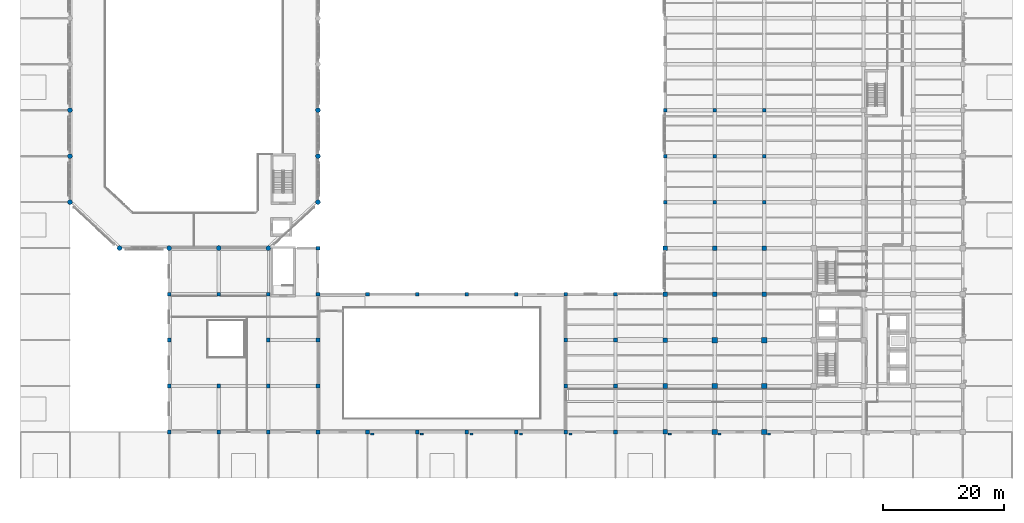
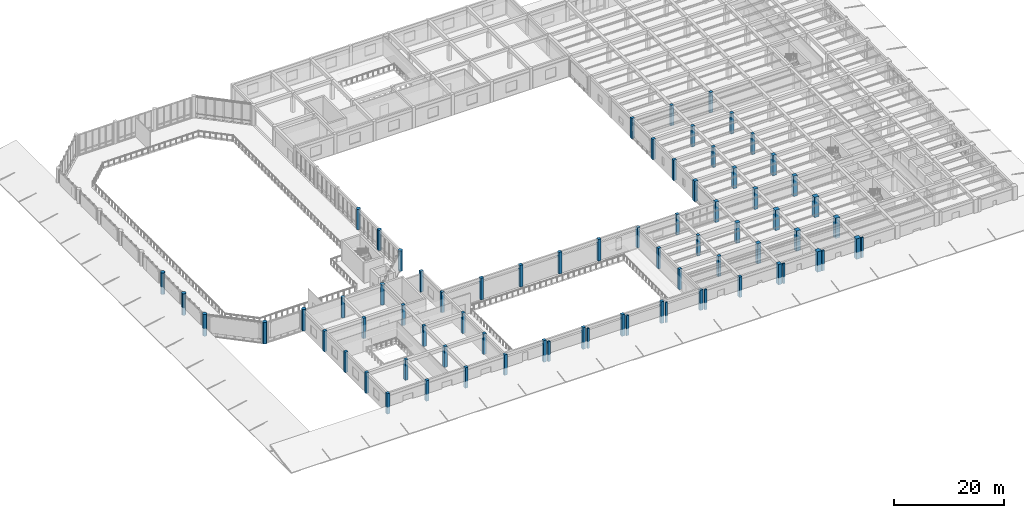
# One storey, part 1 of 57: 74 columns.
"""IFC4 building model written with IfcOpenShell, lengths in metres."""

import ifcopenshell
import ifcopenshell.guid

model = None  # the IFC model being written
_history = None  # IfcOwnerHistory: only IFC2X3 demands one
_inside = {}  # id of a spatial element -> (the spatial element, [elements in it])
_under = {}  # id of a project, library or spatial element -> (it, [spatial elements below it])
_declared = {}  # id of a project -> (the project, [libraries it declares])
_typed = {}  # id of a type object -> (the type object, [elements of that type])
_made_of = {}  # id of a material, layer set ... -> (it, [elements and type objects made of it])


def new_model(schema):
    """Start an empty IFC model of exactly this schema.

    Asked for "IFC4X3", IfcOpenShell would pick the latest addendum, in which some entities
    have other attributes; the version numbers below select the first issue.
    IFC2X3 requires an IfcOwnerHistory on every rooted entity: one is made here for all.
    """
    global model, _history
    if schema == "IFC4X3":
        model = ifcopenshell.file(schema_version=(4, 3, 0, 0))
    else:
        model = ifcopenshell.file(schema=schema)
    _inside.clear()
    _under.clear()
    _declared.clear()
    _typed.clear()
    _made_of.clear()
    _history = None
    if model.schema == "IFC2X3":
        org = make("IfcOrganization", Name="unknown")
        user = make(
            "IfcPersonAndOrganization",
            ThePerson=make("IfcPerson", FamilyName="unknown"),
            TheOrganization=org,
        )
        app = make(
            "IfcApplication",
            ApplicationDeveloper=org,
            Version="unknown",
            ApplicationFullName="unknown",
            ApplicationIdentifier="unknown",
        )
        _history = make(
            "IfcOwnerHistory",
            OwningUser=user,
            OwningApplication=app,
            ChangeAction="ADDED",
            CreationDate=0,
        )
    return model


def make(cls, **values):
    """One entity of the class cls with the attributes given. An attribute that is None is left unset."""
    return model.create_entity(
        cls, **{name: value for name, value in values.items() if value is not None}
    )


def rooted(cls, **values):
    """An entity with a GlobalId (a new one), such as an element, a storey or a relation."""
    return make(cls, GlobalId=ifcopenshell.guid.new(), OwnerHistory=_history, **values)


def si_unit(unit_type, name, prefix=None):
    """IfcSIUnit, for example si_unit("LENGTHUNIT", "METRE", prefix="MILLI")."""
    return make("IfcSIUnit", UnitType=unit_type, Prefix=prefix, Name=name)


def assignment(units):
    """IfcUnitAssignment: the units of a project."""
    return None if units is None else make("IfcUnitAssignment", Units=units)


def point(xyz):
    """IfcCartesianPoint."""
    return None if xyz is None else make("IfcCartesianPoint", Coordinates=xyz)


def direction(xyz):
    """IfcDirection."""
    return None if xyz is None else make("IfcDirection", DirectionRatios=xyz)


def frame(location, z_axis=None, x_axis=None):
    """IfcAxis2Placement3D, a coordinate frame: its origin and axes. An axis left out is left unset."""
    return make(
        "IfcAxis2Placement3D",
        Location=point(location),
        Axis=direction(z_axis),
        RefDirection=direction(x_axis),
    )


def frame_2d(location, x_axis=None):
    """IfcAxis2Placement2D, a coordinate frame in the plane: its origin and x axis."""
    return make(
        "IfcAxis2Placement2D", Location=point(location), RefDirection=direction(x_axis)
    )


def origin():
    """The frame at (0, 0, 0) with its axes left unset."""
    return frame((0.0, 0.0, 0.0))


def origin_2d():
    """The frame at (0, 0) in the plane with its x axis left unset."""
    return frame_2d((0.0, 0.0))


def place(relative_to, where):
    """IfcLocalPlacement: puts the frame where relative to a parent placement (None: the world)."""
    return make(
        "IfcLocalPlacement", PlacementRelTo=relative_to, RelativePlacement=where
    )


def context(
    kind, dimensions, precision=None, world=None, true_north=None, identifier=None
):
    """IfcGeometricRepresentationContext, for example the 3D "Model" context."""
    return make(
        "IfcGeometricRepresentationContext",
        ContextIdentifier=identifier,
        ContextType=kind,
        CoordinateSpaceDimension=dimensions,
        Precision=precision,
        WorldCoordinateSystem=world,
        TrueNorth=true_north,
    )


def subcontext(parent, identifier, kind, view, scale=None):
    """IfcGeometricRepresentationSubContext, for example "Body" below "Model"."""
    return make(
        "IfcGeometricRepresentationSubContext",
        ContextIdentifier=identifier,
        ContextType=kind,
        ParentContext=parent,
        TargetScale=scale,
        TargetView=view,
    )


def project(units=None, contexts=None):
    """IfcProject with its units and contexts."""
    return rooted(
        "IfcProject",
        Name="project",
        RepresentationContexts=contexts,
        UnitsInContext=assignment(units),
    )


def spatial(cls, under=None, at=None, **own):
    """A site, building, storey or space (cls), placed at a placement, below another one or the project."""
    s = rooted(cls, ObjectPlacement=at, **own)
    if under is not None:
        _under.setdefault(under.id(), (under, []))[1].append(s)
    return s


def profile(cls, at=None, kind="AREA", **sizes):
    """A parametric profile (cls). Its sizes go by their IFC names, for example OverallWidth=200.0."""
    return make(cls, ProfileType=kind, Position=at, **sizes)


def rectangle(**sizes):
    """IfcRectangleProfileDef."""
    return profile("IfcRectangleProfileDef", **sizes)


def circle(**sizes):
    """IfcCircleProfileDef."""
    return profile("IfcCircleProfileDef", **sizes)


def extrude(swept, where, along, depth):
    """IfcExtrudedAreaSolid: the profile swept, set in the frame where, extruded along a direction by depth."""
    return make(
        "IfcExtrudedAreaSolid",
        SweptArea=swept,
        Position=where,
        ExtrudedDirection=direction(along),
        Depth=depth,
    )


def shape(context_of_items, identifier, shape_type, items):
    """IfcShapeRepresentation: the items that make up one representation, for example the "Body"."""
    return make(
        "IfcShapeRepresentation",
        ContextOfItems=context_of_items,
        RepresentationIdentifier=identifier,
        RepresentationType=shape_type,
        Items=items,
    )


def material(Name=None, Category=None):
    """IfcMaterial."""
    return make("IfcMaterial", Name=Name, Category=Category)


def material_profile(
    of_material, cross_section, Name=None, Category=None, Priority=None
):
    """IfcMaterialProfile: a cross section and its material."""
    return make(
        "IfcMaterialProfile",
        Name=Name,
        Material=of_material,
        Profile=cross_section,
        Priority=Priority,
        Category=Category,
    )


def profile_set(profiles, Name=None, composite=None):
    """IfcMaterialProfileSet."""
    return make(
        "IfcMaterialProfileSet",
        Name=Name,
        MaterialProfiles=profiles,
        CompositeProfile=composite,
    )


def made_of(thing, what):
    """Note that an element or type object is made of a material, layer set ...; save() writes the relation."""
    if what is not None:
        _made_of.setdefault(what.id(), (what, []))[1].append(thing)
    return thing


def type_object(cls, material=None, **own):
    """A type object (cls), such as IfcWallType, which elements share."""
    return made_of(rooted(cls, **own), material)


def element(
    cls,
    number,
    at=None,
    inside=None,
    cuts=None,
    type_object=None,
    material=None,
    context=None,
    identifier="Body",
    shape_type=None,
    held_by="IfcProductDefinitionShape",
    body=None,
    shapes=None,
    **own,
):
    """One element of the class cls, such as IfcWall. Its Tag is "e" and its number.

    at: its placement. inside: the storey or other place that contains it. cuts: it is an
    opening in that element (IfcRelVoidsElement). A single representation is given by context,
    identifier, shape_type and body (its items); several are given by shapes. held_by: the class
    of the entity that holds the representations. save() writes the other relations.
    """
    e = rooted(cls, Tag="e%d" % number, ObjectPlacement=at, **own)
    if body is not None:
        shapes = [shape(context, identifier, shape_type, body)]
    if shapes is not None:
        e.Representation = make(held_by, Representations=shapes)
    if inside is not None:
        _inside.setdefault(inside.id(), (inside, []))[1].append(e)
    if cuts is not None:
        rooted(
            "IfcRelVoidsElement", RelatingBuildingElement=cuts, RelatedOpeningElement=e
        )
    if type_object is not None:
        _typed.setdefault(type_object.id(), (type_object, []))[1].append(e)
    return made_of(e, material)


def aggregate(whole, parts):
    """IfcRelAggregates: a whole, such as a stair, and the parts it consists of."""
    return rooted("IfcRelAggregates", RelatingObject=whole, RelatedObjects=parts)


def save(model, path):
    """Write the relations noted so far, then the file.

    IfcRelAggregates (storeys below a building ...), IfcRelContainedInSpatialStructure (elements
    in a storey), IfcRelDefinesByType, IfcRelAssociatesMaterial and IfcRelDeclares: one each for
    every whole, place, type object, material and project.
    """
    for whole, parts in _under.values():
        aggregate(whole, parts)
    for where, things in _inside.values():
        rooted(
            "IfcRelContainedInSpatialStructure",
            RelatedElements=things,
            RelatingStructure=where,
        )
    for kind, things in _typed.values():
        rooted("IfcRelDefinesByType", RelatedObjects=things, RelatingType=kind)
    for what, things in _made_of.values():
        rooted("IfcRelAssociatesMaterial", RelatedObjects=things, RelatingMaterial=what)
    for by, libraries in _declared.values():
        rooted("IfcRelDeclares", RelatingContext=by, RelatedDefinitions=libraries)
    model.write(path)


model = new_model("IFC4")

# Units and contexts
model_context = context("Model", 3, precision=1e-05, world=origin(), true_north=direction((0.0, 1.0)))
body_context = subcontext(model_context, "Body", "Model", "MODEL_VIEW")
ifc_project = project(units=[si_unit("LENGTHUNIT", "METRE"), si_unit("AREAUNIT", "SQUARE_METRE"), si_unit("VOLUMEUNIT", "CUBIC_METRE"), si_unit("PLANEANGLEUNIT", "RADIAN"), si_unit("MASSUNIT", "GRAM", prefix="KILO")], contexts=[model_context])

# Site, building, storey
site_placement = place(None, origin())
site = spatial("IfcSite", under=ifc_project, at=site_placement, CompositionType="ELEMENT")
building_placement = place(site_placement, origin())
building = spatial("IfcBuilding", under=site, at=building_placement, Name="Qandaris Square Conservatory and Botanical Centre", CompositionType="ELEMENT")
storey_placement = place(building_placement, frame((0.0, 0.0, 5.39990234375)))
storey = spatial("IfcBuildingStorey", under=building, at=storey_placement, Name="L01", CompositionType="ELEMENT", Elevation=5.39990234375)

# Columns
ifc_material_1 = material(Name="Concrete C50/60", Category="concrete")
ifc_material_profile_1 = material_profile(ifc_material_1, circle(Radius=0.39990234375, at=origin_2d()), Name="RC-COL D800")
ifc_profile_set_1 = profile_set([ifc_material_profile_1], Name="Concrete C50/60")
column_type_1 = type_object("IfcColumnType", Name="Conservatory Ring Pier D800", PredefinedType="COLUMN", material=ifc_profile_set_1)
for number, where, z_axis, x_axis, name in (
    (1, (16.199951171875, 54.60009765625, 0.0), (0.0, 0.0, 1.0), (1.0, 0.0, 0.0), "Column G2 (L01)"),
    (2, (16.199951171875, 62.199951171875, 0.0), (0.0, 0.0, 1.0), (1.0, 0.0, 0.0), "Column H2 (L01)"),
    (3, (16.199951171875, 69.800048828125, 0.0), (0.0, 0.0, 1.0), (1.0, 0.0, 0.0), "Column J2 (L01)"),
    (4, (24.39990234375, 47.0, 0.0), (0.0, 0.0, 1.0), (1.0, 0.0, 0.0), "Column F3 (L01)"),
    (5, (32.60009765625, 47.0, 0.0), (0.0, 0.0, 1.0), (1.0, 0.0, 0.0), "Column F4 (L01)"),
):
    element("IfcColumn", number, at=place(storey_placement, frame(where, z_axis=z_axis, x_axis=x_axis)), inside=storey, type_object=column_type_1, Name=name, PredefinedType="COLUMN", context=body_context, shape_type="SweptSolid", body=[
        extrude(circle(Radius=0.39990234375, at=origin_2d()), origin(), (0.0, 0.0, 1.0), 4.800048828125),
    ])
for number, where, z_axis, x_axis, name in (
    (6, (40.800048828125, 47.0, 0.0), (0.0, 0.0, 1.0), (1.0, 0.0, 0.0), "Column F5 (L01)"),
    (7, (49.0, 47.0, 0.0), (0.0, 0.0, 1.0), (1.0, 0.0, 0.0), "Column F6 (L01)"),
    (8, (57.199951171875, 54.60009765625, 0.0), (0.0, 0.0, 1.0), (1.0, 0.0, 0.0), "Column G7 (L01)"),
    (9, (57.199951171875, 62.199951171875, 0.0), (0.0, 0.0, 1.0), (1.0, 0.0, 0.0), "Column H7 (L01)"),
    (10, (57.199951171875, 69.800048828125, 0.0), (0.0, 0.0, 1.0), (1.0, 0.0, 0.0), "Column J7 (L01)"),
):
    element("IfcColumn", number, at=place(storey_placement, frame(where, z_axis=z_axis, x_axis=x_axis)), inside=storey, type_object=column_type_1, Name=name, PredefinedType="COLUMN", context=body_context, shape_type="SweptSolid", body=[
        extrude(circle(Radius=0.39990234375, at=origin_2d()), origin(), (0.0, 0.0, 1.0), 4.52001953125),
    ])
ifc_material_profile_2 = material_profile(ifc_material_1, rectangle(XDim=0.449951171875, YDim=0.300048828125, at=origin_2d()), Name="RC-PIL 450x300")
ifc_profile_set_2 = profile_set([ifc_material_profile_2], Name="Concrete C50/60")
column_type_2 = type_object("IfcColumnType", Name="Engaged Prairie Pilaster 450x300", PredefinedType="PILASTER", material=ifc_profile_set_2)
for number, where, z_axis, x_axis, name in (
    (11, (74.3798828125, 16.280029296875, 0.0), (0.0, 0.0, 1.0), (1.0, 0.0, 0.0), "Prairie Pilaster 02 (L01)"),
    (12, (90.780029296875, 16.280029296875, 0.0), (0.0, 0.0, 1.0), (1.0, 0.0, 0.0), "Prairie Pilaster 04 (L01)"),
    (13, (115.3798828125, 16.280029296875, 0.0), (0.0, 0.0, 1.0), (1.0, 0.0, 0.0), "Prairie Pilaster 06 (L01)"),
    (14, (131.780029296875, 16.280029296875, 0.0), (0.0, 0.0, 1.0), (1.0, 0.0, 0.0), "Prairie Pilaster 08 (L01)"),
):
    element("IfcColumn", number, at=place(storey_placement, frame(where, z_axis=z_axis, x_axis=x_axis)), inside=storey, type_object=column_type_2, Name=name, PredefinedType="PILASTER", context=body_context, shape_type="SweptSolid", body=[
        extrude(rectangle(XDim=0.449951171875, YDim=0.300048828125, at=origin_2d()), origin(), (0.0, 0.0, 1.0), 4.420166015625),
    ])
ifc_material_profile_3 = material_profile(ifc_material_1, rectangle(XDim=0.5, YDim=0.35009765625, at=origin_2d()), Name="RC-PIL 500x350")
ifc_profile_set_3 = profile_set([ifc_material_profile_3], Name="Concrete C50/60")
column_type_3 = type_object("IfcColumnType", Name="Engaged Prairie Pilaster 500x350", PredefinedType="PILASTER", material=ifc_profile_set_3)
for number, where, z_axis, x_axis, name in (
    (15, (66.179931640625, 16.280029296875, 0.0), (0.0, 0.0, 1.0), (1.0, 0.0, 0.0), "Prairie Pilaster 01 (L01)"),
    (16, (82.580078125, 16.280029296875, 0.0), (0.0, 0.0, 1.0), (1.0, 0.0, 0.0), "Prairie Pilaster 03 (L01)"),
    (17, (98.97998046875, 16.280029296875, 0.0), (0.0, 0.0, 1.0), (1.0, 0.0, 0.0), "Prairie Pilaster 05 (L01)"),
    (18, (123.580078125, 16.280029296875, 0.0), (0.0, 0.0, 1.0), (1.0, 0.0, 0.0), "Prairie Pilaster 07 (L01)"),
):
    element("IfcColumn", number, at=place(storey_placement, frame(where, z_axis=z_axis, x_axis=x_axis)), inside=storey, type_object=column_type_3, Name=name, PredefinedType="PILASTER", context=body_context, shape_type="SweptSolid", body=[
        extrude(rectangle(XDim=0.5, YDim=0.35009765625, at=origin_2d()), origin(), (0.0, 0.0, 1.0), 4.420166015625),
    ])
ifc_material_2 = material(Name="Concrete C40/50", Category="concrete")
ifc_material_profile_4 = material_profile(ifc_material_2, rectangle(XDim=0.60009765625, YDim=0.60009765625, at=origin_2d()), Name="RC-COL 600x600")
ifc_profile_set_4 = profile_set([ifc_material_profile_4], Name="Concrete C40/50")
column_type_4 = type_object("IfcColumnType", Name="RC Column 600x600", PredefinedType="COLUMN", material=ifc_profile_set_4)
for number, where, z_axis, x_axis, name in (
    (19, (32.60009765625, 16.60009765625, 0.0), (0.0, 0.0, 1.0), (1.0, 0.0, 0.0), "Column B4 (L01)"),
    (20, (32.60009765625, 24.199951171875, 0.0), (0.0, 0.0, 1.0), (1.0, 0.0, 0.0), "Column C4 (L01)"),
    (21, (32.60009765625, 31.800048828125, 0.0), (0.0, 0.0, 1.0), (1.0, 0.0, 0.0), "Column D4 (L01)"),
    (22, (32.60009765625, 39.39990234375, 0.0), (0.0, 0.0, 1.0), (1.0, 0.0, 0.0), "Column E4 (L01)"),
    (23, (40.800048828125, 16.60009765625, 0.0), (0.0, 0.0, 1.0), (1.0, 0.0, 0.0), "Column B5 (L01)"),
    (24, (40.800048828125, 24.199951171875, 0.0), (0.0, 0.0, 1.0), (1.0, 0.0, 0.0), "Column C5 (L01)"),
    (25, (40.800048828125, 39.39990234375, 0.0), (0.0, 0.0, 1.0), (1.0, 0.0, 0.0), "Column E5 (L01)"),
    (26, (49.0, 16.60009765625, 0.0), (0.0, 0.0, 1.0), (1.0, 0.0, 0.0), "Column B6 (L01)"),
    (27, (49.0, 24.199951171875, 0.0), (0.0, 0.0, 1.0), (1.0, 0.0, 0.0), "Column C6 (L01)"),
    (28, (49.0, 31.800048828125, 0.0), (0.0, 0.0, 1.0), (1.0, 0.0, 0.0), "Column D6 (L01)"),
    (29, (49.0, 39.39990234375, 0.0), (0.0, 0.0, 1.0), (1.0, 0.0, 0.0), "Column E6 (L01)"),
    (30, (57.199951171875, 16.60009765625, 0.0), (0.0, 0.0, 1.0), (1.0, 0.0, 0.0), "Column B7 (L01)"),
    (31, (57.199951171875, 24.199951171875, 0.0), (0.0, 0.0, 1.0), (1.0, 0.0, 0.0), "Column C7 (L01)"),
    (32, (57.199951171875, 31.800048828125, 0.0), (0.0, 0.0, 1.0), (1.0, 0.0, 0.0), "Column D7 (L01)"),
    (33, (57.199951171875, 39.39990234375, 0.0), (0.0, 0.0, 1.0), (1.0, 0.0, 0.0), "Column E7 (L01)"),
):
    element("IfcColumn", number, at=place(storey_placement, frame(where, z_axis=z_axis, x_axis=x_axis)), inside=storey, type_object=column_type_4, Name=name, PredefinedType="COLUMN", context=body_context, shape_type="SweptSolid", body=[
        extrude(rectangle(XDim=0.60009765625, YDim=0.60009765625, at=origin_2d()), origin(), (0.0, 0.0, 1.0), 4.545166015625),
    ])
column_1_placement = place(storey_placement, frame((57.199951171875, 47.0, 0.0), z_axis=(0.0, 0.0, 1.0), x_axis=(1.0, 0.0, 0.0)))
element("IfcColumn", 34, at=column_1_placement, inside=storey, type_object=column_type_4, Name="Column F7 (L01)", PredefinedType="COLUMN", context=body_context, shape_type="SweptSolid", body=[
    extrude(rectangle(XDim=0.60009765625, YDim=0.60009765625, at=origin_2d()), origin(), (0.0, 0.0, 1.0), 4.52001953125),
])
for number, where, z_axis, x_axis, name in (
    (35, (65.39990234375, 16.60009765625, 0.0), (0.0, 0.0, 1.0), (1.0, 0.0, 0.0), "Column B8 (L01)"),
    (36, (65.39990234375, 39.39990234375, 0.0), (0.0, 0.0, 1.0), (1.0, 0.0, 0.0), "Column E8 (L01)"),
    (37, (73.60009765625, 16.60009765625, 0.0), (0.0, 0.0, 1.0), (1.0, 0.0, 0.0), "Column B9 (L01)"),
    (38, (73.60009765625, 39.39990234375, 0.0), (0.0, 0.0, 1.0), (1.0, 0.0, 0.0), "Column E9 (L01)"),
    (39, (81.800048828125, 16.60009765625, 0.0), (0.0, 0.0, 1.0), (1.0, 0.0, 0.0), "Column B10 (L01)"),
    (40, (81.800048828125, 39.39990234375, 0.0), (0.0, 0.0, 1.0), (1.0, 0.0, 0.0), "Column E10 (L01)"),
    (41, (90.0, 16.60009765625, 0.0), (0.0, 0.0, 1.0), (1.0, 0.0, 0.0), "Column B11 (L01)"),
    (42, (90.0, 39.39990234375, 0.0), (0.0, 0.0, 1.0), (1.0, 0.0, 0.0), "Column E11 (L01)"),
):
    element("IfcColumn", number, at=place(storey_placement, frame(where, z_axis=z_axis, x_axis=x_axis)), inside=storey, type_object=column_type_4, Name=name, PredefinedType="COLUMN", context=body_context, shape_type="SweptSolid", body=[
        extrude(rectangle(XDim=0.60009765625, YDim=0.60009765625, at=origin_2d()), origin(), (0.0, 0.0, 1.0), 4.800048828125),
    ])
for number, where, z_axis, x_axis, name in (
    (43, (98.199951171875, 16.60009765625, 0.0), (0.0, 0.0, 1.0), (1.0, 0.0, 0.0), "Column B12 (L01)"),
    (44, (98.199951171875, 24.199951171875, 0.0), (0.0, 0.0, 1.0), (1.0, 0.0, 0.0), "Column C12 (L01)"),
    (45, (98.199951171875, 31.800048828125, 0.0), (0.0, 0.0, 1.0), (1.0, 0.0, 0.0), "Column D12 (L01)"),
    (46, (98.199951171875, 39.39990234375, 0.0), (0.0, 0.0, 1.0), (1.0, 0.0, 0.0), "Column E12 (L01)"),
):
    element("IfcColumn", number, at=place(storey_placement, frame(where, z_axis=z_axis, x_axis=x_axis)), inside=storey, type_object=column_type_4, Name=name, PredefinedType="COLUMN", context=body_context, shape_type="SweptSolid", body=[
        extrude(rectangle(XDim=0.60009765625, YDim=0.60009765625, at=origin_2d()), origin(), (0.0, 0.0, 1.0), 4.52001953125),
    ])
column_2_placement = place(storey_placement, frame((106.39990234375, 16.60009765625, 0.0), z_axis=(0.0, 0.0, 1.0), x_axis=(1.0, 0.0, 0.0)))
element("IfcColumn", 47, at=column_2_placement, inside=storey, type_object=column_type_4, Name="Column B13 (L01)", PredefinedType="COLUMN", context=body_context, shape_type="SweptSolid", body=[
    extrude(rectangle(XDim=0.60009765625, YDim=0.60009765625, at=origin_2d()), origin(), (0.0, 0.0, 1.0), 4.545166015625),
])
for number, where, z_axis, x_axis, name in (
    (48, (106.39990234375, 24.199951171875, 0.0), (0.0, 0.0, 1.0), (1.0, 0.0, 0.0), "Column C13 (L01)"),
    (49, (106.39990234375, 31.800048828125, 0.0), (0.0, 0.0, 1.0), (1.0, 0.0, 0.0), "Column D13 (L01)"),
    (50, (106.39990234375, 39.39990234375, 0.0), (0.0, 0.0, 1.0), (1.0, 0.0, 0.0), "Column E13 (L01)"),
    (51, (114.60009765625, 54.60009765625, 0.0), (0.0, 0.0, 1.0), (1.0, 0.0, 0.0), "Column G14 (L01)"),
    (52, (114.60009765625, 62.199951171875, 0.0), (0.0, 0.0, 1.0), (1.0, 0.0, 0.0), "Column H14 (L01)"),
    (53, (114.60009765625, 69.800048828125, 0.0), (0.0, 0.0, 1.0), (1.0, 0.0, 0.0), "Column J14 (L01)"),
    (54, (122.800048828125, 54.60009765625, 0.0), (0.0, 0.0, 1.0), (1.0, 0.0, 0.0), "Column G15 (L01)"),
    (55, (122.800048828125, 62.199951171875, 0.0), (0.0, 0.0, 1.0), (1.0, 0.0, 0.0), "Column H15 (L01)"),
    (56, (122.800048828125, 69.800048828125, 0.0), (0.0, 0.0, 1.0), (1.0, 0.0, 0.0), "Column J15 (L01)"),
    (57, (131.0, 54.60009765625, 0.0), (0.0, 0.0, 1.0), (1.0, 0.0, 0.0), "Column G16 (L01)"),
    (58, (131.0, 62.199951171875, 0.0), (0.0, 0.0, 1.0), (1.0, 0.0, 0.0), "Column H16 (L01)"),
    (59, (131.0, 69.800048828125, 0.0), (0.0, 0.0, 1.0), (1.0, 0.0, 0.0), "Column J16 (L01)"),
):
    element("IfcColumn", number, at=place(storey_placement, frame(where, z_axis=z_axis, x_axis=x_axis)), inside=storey, type_object=column_type_4, Name=name, PredefinedType="COLUMN", context=body_context, shape_type="SweptSolid", body=[
        extrude(rectangle(XDim=0.60009765625, YDim=0.60009765625, at=origin_2d()), origin(), (0.0, 0.0, 1.0), 4.52001953125),
    ])
ifc_material_profile_5 = material_profile(ifc_material_1, rectangle(XDim=0.75, YDim=0.75, at=origin_2d()), Name="RC-COL 750x750")
ifc_profile_set_5 = profile_set([ifc_material_profile_5], Name="Concrete C50/60")
column_type_5 = type_object("IfcColumnType", Name="RC Column 750x750", PredefinedType="COLUMN", material=ifc_profile_set_5)
column_3_placement = place(storey_placement, frame((114.60009765625, 16.60009765625, 0.0), z_axis=(0.0, 0.0, 1.0), x_axis=(1.0, 0.0, 0.0)))
element("IfcColumn", 60, at=column_3_placement, inside=storey, type_object=column_type_5, Name="Column B14 (L01)", PredefinedType="COLUMN", context=body_context, shape_type="SweptSolid", body=[
    extrude(rectangle(XDim=0.75, YDim=0.75, at=origin_2d()), origin(), (0.0, 0.0, 1.0), 4.545166015625),
])
for number, where, z_axis, x_axis, name in (
    (61, (114.60009765625, 24.199951171875, 0.0), (0.0, 0.0, 1.0), (1.0, 0.0, 0.0), "Column C14 (L01)"),
    (62, (114.60009765625, 31.800048828125, 0.0), (0.0, 0.0, 1.0), (1.0, 0.0, 0.0), "Column D14 (L01)"),
    (63, (114.60009765625, 39.39990234375, 0.0), (0.0, 0.0, 1.0), (1.0, 0.0, 0.0), "Column E14 (L01)"),
    (64, (114.60009765625, 47.0, 0.0), (0.0, 0.0, 1.0), (1.0, 0.0, 0.0), "Column F14 (L01)"),
    (65, (122.800048828125, 39.39990234375, 0.0), (0.0, 0.0, 1.0), (1.0, 0.0, 0.0), "Column E15 (L01)"),
    (66, (122.800048828125, 47.0, 0.0), (0.0, 0.0, 1.0), (1.0, 0.0, 0.0), "Column F15 (L01)"),
    (67, (131.0, 39.39990234375, 0.0), (0.0, 0.0, 1.0), (1.0, 0.0, 0.0), "Column E16 (L01)"),
    (68, (131.0, 47.0, 0.0), (0.0, 0.0, 1.0), (1.0, 0.0, 0.0), "Column F16 (L01)"),
):
    element("IfcColumn", number, at=place(storey_placement, frame(where, z_axis=z_axis, x_axis=x_axis)), inside=storey, type_object=column_type_5, Name=name, PredefinedType="COLUMN", context=body_context, shape_type="SweptSolid", body=[
        extrude(rectangle(XDim=0.75, YDim=0.75, at=origin_2d()), origin(), (0.0, 0.0, 1.0), 4.52001953125),
    ])
ifc_material_profile_6 = material_profile(ifc_material_1, rectangle(XDim=0.89990234375, YDim=0.89990234375, at=origin_2d()), Name="RC-COL 900x900")
ifc_profile_set_6 = profile_set([ifc_material_profile_6], Name="Concrete C50/60")
column_type_6 = type_object("IfcColumnType", Name="RC Column 900x900", PredefinedType="COLUMN", material=ifc_profile_set_6)
column_4_placement = place(storey_placement, frame((122.800048828125, 16.60009765625, 0.0), z_axis=(0.0, 0.0, 1.0), x_axis=(1.0, 0.0, 0.0)))
element("IfcColumn", 69, at=column_4_placement, inside=storey, type_object=column_type_6, Name="Column B15 (L01)", PredefinedType="COLUMN", context=body_context, shape_type="SweptSolid", body=[
    extrude(rectangle(XDim=0.89990234375, YDim=0.89990234375, at=origin_2d()), origin(), (0.0, 0.0, 1.0), 4.545166015625),
])
for number, where, z_axis, x_axis, name in (
    (70, (122.800048828125, 24.199951171875, 0.0), (0.0, 0.0, 1.0), (1.0, 0.0, 0.0), "Column C15 (L01)"),
    (71, (122.800048828125, 31.800048828125, 0.0), (0.0, 0.0, 1.0), (1.0, 0.0, 0.0), "Column D15 (L01)"),
):
    element("IfcColumn", number, at=place(storey_placement, frame(where, z_axis=z_axis, x_axis=x_axis)), inside=storey, type_object=column_type_6, Name=name, PredefinedType="COLUMN", context=body_context, shape_type="SweptSolid", body=[
        extrude(rectangle(XDim=0.89990234375, YDim=0.89990234375, at=origin_2d()), origin(), (0.0, 0.0, 1.0), 4.52001953125),
    ])
column_5_placement = place(storey_placement, frame((131.0, 16.60009765625, 0.0), z_axis=(0.0, 0.0, 1.0), x_axis=(1.0, 0.0, 0.0)))
element("IfcColumn", 72, at=column_5_placement, inside=storey, type_object=column_type_6, Name="Column B16 (L01)", PredefinedType="COLUMN", context=body_context, shape_type="SweptSolid", body=[
    extrude(rectangle(XDim=0.89990234375, YDim=0.89990234375, at=origin_2d()), origin(), (0.0, 0.0, 1.0), 4.545166015625),
])
for number, where, z_axis, x_axis, name in (
    (73, (131.0, 24.199951171875, 0.0), (0.0, 0.0, 1.0), (1.0, 0.0, 0.0), "Column C16 (L01)"),
    (74, (131.0, 31.800048828125, 0.0), (0.0, 0.0, 1.0), (1.0, 0.0, 0.0), "Column D16 (L01)"),
):
    element("IfcColumn", number, at=place(storey_placement, frame(where, z_axis=z_axis, x_axis=x_axis)), inside=storey, type_object=column_type_6, Name=name, PredefinedType="COLUMN", context=body_context, shape_type="SweptSolid", body=[
        extrude(rectangle(XDim=0.89990234375, YDim=0.89990234375, at=origin_2d()), origin(), (0.0, 0.0, 1.0), 4.52001953125),
    ])

save(model, "model.ifc")
